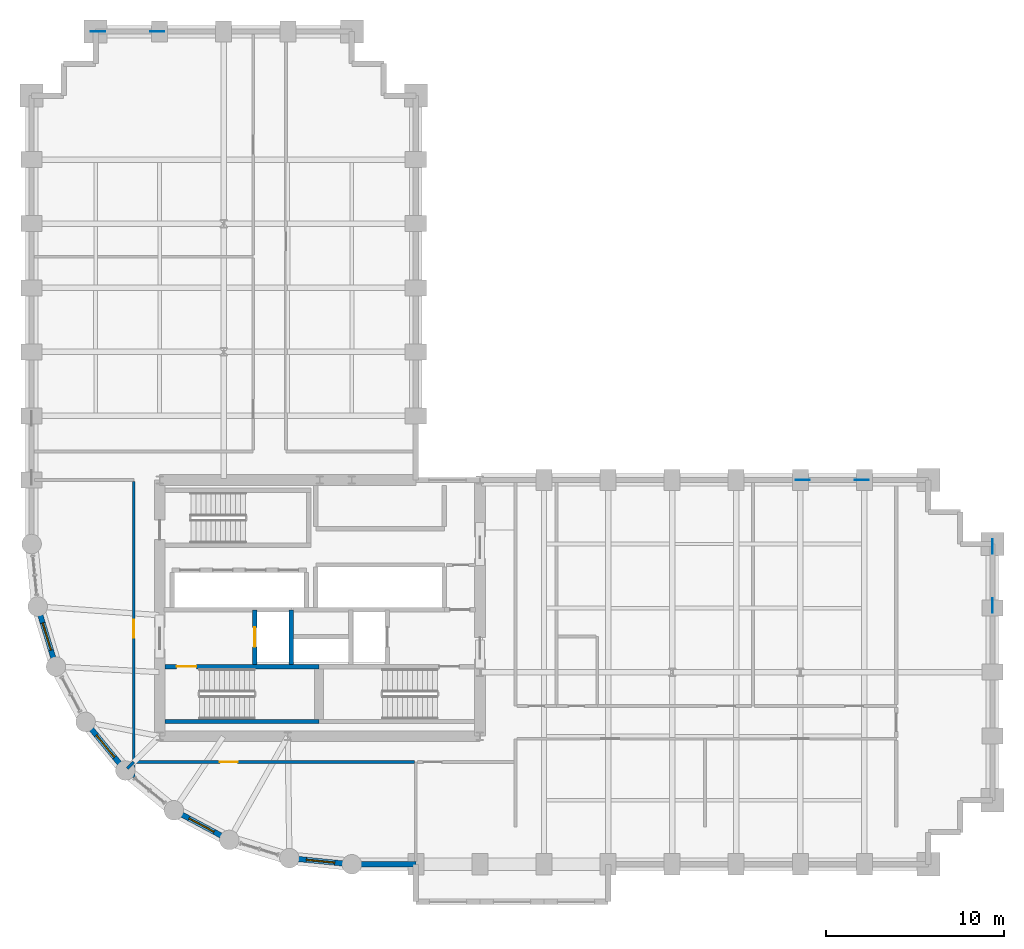
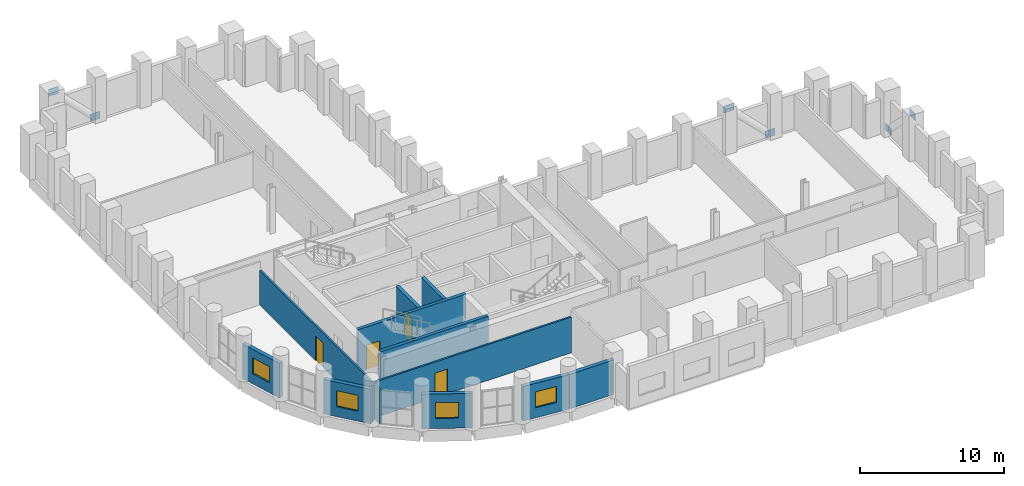
# One storey, part 8 of 12: 12 walls, 6 plates, 4 doors, 4 windows, 8 openings.
"""IFC4 building model written with IfcOpenShell, lengths in metres."""

from ifc_helpers import new_model, si_unit, direction, frame, frame_2d, origin, origin_2d, place, context, subcontext, project, spatial, rectangle, extrude, material, layer, layer_set, type_object, element, fill, save


model = new_model("IFC4")

# Units and contexts
model_context = context("Model", 3, precision=1e-05, world=origin(), true_north=direction((0.0, 1.0)))
body_context = subcontext(model_context, "Body", "Model", "MODEL_VIEW")
ifc_project = project(units=[si_unit("LENGTHUNIT", "METRE"), si_unit("AREAUNIT", "SQUARE_METRE"), si_unit("VOLUMEUNIT", "CUBIC_METRE"), si_unit("PLANEANGLEUNIT", "RADIAN"), si_unit("MASSUNIT", "GRAM", prefix="KILO")], contexts=[model_context])

# Site, building, storey
site_placement = place(None, origin())
site = spatial("IfcSite", under=ifc_project, at=site_placement, CompositionType="ELEMENT")
building_placement = place(site_placement, origin())
building = spatial("IfcBuilding", under=site, at=building_placement, Name="Solnavia Interchange Tower", CompositionType="ELEMENT")
storey_placement = place(building_placement, frame((0.0, 0.0, 27.89990234375)))
storey = spatial("IfcBuildingStorey", under=building, at=storey_placement, Name="L06", CompositionType="ELEMENT", Elevation=27.89990234375)

# Plates
ifc_material_1 = material(Name="Steel S460", Category="steel")
ifc_layer_1 = layer(ifc_material_1, 0.035888671875)
ifc_layer_set_1 = layer_set([ifc_layer_1], Name="Steel S460")
plate_type = type_object("IfcPlateType", Name="Plate-Gusset-800x600x36", PredefinedType="USERDEFINED", material=ifc_layer_set_1)
for number, where, z_axis, x_axis, name in (
    (1, (61.199951171875, 21.4599609375, -0.119873046875), (0.0, 0.0, 1.0), (0.0, -1.0, 0.0), "PLT-L06-GP03 Perimeter brace gusset plate"),
    (2, (61.199951171875, 18.139892578125, 3.170166015625), (0.0, 0.0, 1.0), (0.0, -1.0, 0.0), "PLT-L06-GP04 Perimeter brace gusset plate"),
    (3, (14.260009765625, 50.39990234375, -0.119873046875), (0.0, 0.0, 1.0), (-1.0, 0.0, 0.0), "PLT-L06-GP05 Perimeter brace gusset plate"),
    (4, (10.93994140625, 50.39990234375, 3.170166015625), (0.0, 0.0, 1.0), (-1.0, 0.0, 0.0), "PLT-L06-GP06 Perimeter brace gusset plate"),
    (5, (53.860107421875, 25.199951171875, -0.119873046875), (0.0, 0.0, 1.0), (-1.0, 0.0, 0.0), "PLT-L06-GP07 Perimeter brace gusset plate"),
    (6, (50.5400390625, 25.199951171875, 3.170166015625), (0.0, 0.0, 1.0), (-1.0, 0.0, 0.0), "PLT-L06-GP08 Perimeter brace gusset plate"),
):
    element("IfcPlate", number, at=place(storey_placement, frame(where, z_axis=z_axis, x_axis=x_axis)), inside=storey, type_object=plate_type, Name=name, ObjectType="GUSSET PLATE", PredefinedType="USERDEFINED", context=body_context, shape_type="SweptSolid", body=[
        extrude(rectangle(XDim=0.800048828125, YDim=0.035888671875, at=origin_2d()), origin(), (0.0, 0.0, 1.0), 0.60009765625),
    ])

# Wall
ifc_material_2 = material(Name="Concrete C40/50", Category="concrete")
ifc_layer_2 = layer(ifc_material_2, 0.300048828125)
ifc_layer_set_2 = layer_set([ifc_layer_2], Name="Concrete C40/50")
wall_type_1 = type_object("IfcWallType", Name="Wall-ExtSpandrel-300", PredefinedType="STANDARD", material=ifc_layer_set_2)
wall_1_placement = place(storey_placement, frame((28.800048828125, 3.60009765625, 0.0), z_axis=(0.0, 0.0, 1.0), x_axis=(-1.0, 0.0, 0.0)))
element("IfcWall", 7, at=wall_1_placement, inside=storey, type_object=wall_type_1, Name="EXW-L06-01 Exterior precast spandrel wall", PredefinedType="STANDARD", context=body_context, shape_type="SweptSolid", body=[
    extrude(rectangle(XDim=3.60009765625, YDim=0.300048828125, at=frame_2d((1.800048828125, 0.0))), origin(), (0.0, 0.0, 1.0), 2.93017578125),
])

# Wall, opening, window
wall_2_placement = place(storey_placement, frame((8.570068359375, 14.7119140625, 0.0), z_axis=(0.0, 0.0, 1.0), x_axis=(-0.290305086481, 0.956934144423, 0.0)))
wall_2 = element("IfcWall", 8, at=wall_2_placement, inside=storey, type_object=wall_type_1, Name="EXW-L06-58 Exterior precast spandrel wall", PredefinedType="STANDARD", context=body_context, shape_type="SweptSolid", body=[
    extrude(rectangle(XDim=3.52783203125, YDim=0.300048828125, at=frame_2d((1.763916015625, 0.0))), origin(), (0.0, 0.0, 1.0), 2.93017578125),
])
opening_1_placement = place(wall_2_placement, frame((0.964111328125, 0.0, 0.85009765625)))
opening_1 = element("IfcOpeningElement", 9, at=opening_1_placement, cuts=wall_2, Name="Opening WIN-04", PredefinedType="OPENING", context=body_context, shape_type="SweptSolid", body=[
    extrude(rectangle(XDim=1.60009765625, YDim=1.35009765625, at=frame_2d((0.800048828125, 0.675048828125))), frame((0.0, 0.16015625, 0.0), z_axis=(0.0, -1.0, 0.0), x_axis=(1.0, 0.0, 0.0)), (0.0, 0.0, 1.0), 0.320068359375),
])
ifc_material_3 = material(Name="Thermal-Break Aluminium & Low-E Glass", Category="aluminium")
window_type = type_object("IfcWindowType", Name="Window-Drum-1600x1350", PartitioningType="SINGLE_PANEL", PredefinedType="WINDOW", material=ifc_material_3)
window_1_placement = place(opening_1_placement, origin())
window_1 = element("IfcWindow", 10, at=window_1_placement, inside=storey, type_object=window_type, Name="WIN-L06-58 Facade ribbon window", OverallHeight=1.35009765625, OverallWidth=1.60009765625, PartitioningType="SINGLE_PANEL", PredefinedType="WINDOW", context=body_context, shape_type="SweptSolid", body=[
    extrude(rectangle(XDim=1.60009765625, YDim=1.35009765625, at=frame_2d((0.800048828125, 0.675048828125))), frame((0.0, 0.030029296875, 0.0), z_axis=(0.0, -1.0, 0.0), x_axis=(1.0, 0.0, 0.0)), (0.0, 0.0, 1.0), 0.06005859375),
])
fill(opening_1, window_1)

wall_3_placement = place(storey_placement, frame((12.471923828125, 8.8720703125, 0.0), z_axis=(0.0, 0.0, 1.0), x_axis=(-0.634258295121, 0.773121216285, 0.0)))
wall_3 = element("IfcWall", 11, at=wall_3_placement, inside=storey, type_object=wall_type_1, Name="EXW-L06-60 Exterior precast spandrel wall", PredefinedType="STANDARD", context=body_context, shape_type="SweptSolid", body=[
    extrude(rectangle(XDim=3.528564453125, YDim=0.300048828125, at=frame_2d((1.76416015625, 0.0))), origin(), (0.0, 0.0, 1.0), 2.93017578125),
])
opening_2_placement = place(wall_3_placement, frame((0.964111328125, 0.0, 0.85009765625)))
opening_2 = element("IfcOpeningElement", 12, at=opening_2_placement, cuts=wall_3, Name="Opening WIN-04", PredefinedType="OPENING", context=body_context, shape_type="SweptSolid", body=[
    extrude(rectangle(XDim=1.60009765625, YDim=1.35009765625, at=frame_2d((0.800048828125, 0.675048828125))), frame((0.0, 0.16015625, 0.0), z_axis=(0.0, -1.0, 0.0), x_axis=(1.0, 0.0, 0.0)), (0.0, 0.0, 1.0), 0.320068359375),
])
window_2_placement = place(opening_2_placement, origin())
window_2 = element("IfcWindow", 13, at=window_2_placement, inside=storey, type_object=window_type, Name="WIN-L06-60 Facade ribbon window", OverallHeight=1.35009765625, OverallWidth=1.60009765625, PartitioningType="SINGLE_PANEL", PredefinedType="WINDOW", context=body_context, shape_type="SweptSolid", body=[
    extrude(rectangle(XDim=1.60009765625, YDim=1.35009765625, at=frame_2d((0.800048828125, 0.675048828125))), frame((0.0, 0.030029296875, 0.0), z_axis=(0.0, -1.0, 0.0), x_axis=(1.0, 0.0, 0.0)), (0.0, 0.0, 1.0), 0.06005859375),
])
fill(opening_2, window_2)

wall_4_placement = place(storey_placement, frame((18.31201171875, 4.969970703125, 0.0), z_axis=(0.0, 0.0, 1.0), x_axis=(-0.881846862014, 0.471535907389, 0.0)))
wall_4 = element("IfcWall", 14, at=wall_4_placement, inside=storey, type_object=wall_type_1, Name="EXW-L06-62 Exterior precast spandrel wall", PredefinedType="STANDARD", context=body_context, shape_type="SweptSolid", body=[
    extrude(rectangle(XDim=3.529052734375, YDim=0.300048828125, at=frame_2d((1.7646484375, 0.0))), origin(), (0.0, 0.0, 1.0), 2.93017578125),
])
opening_3_placement = place(wall_4_placement, frame((0.964111328125, 0.0, 0.85009765625)))
opening_3 = element("IfcOpeningElement", 15, at=opening_3_placement, cuts=wall_4, Name="Opening WIN-04", PredefinedType="OPENING", context=body_context, shape_type="SweptSolid", body=[
    extrude(rectangle(XDim=1.60009765625, YDim=1.35009765625, at=frame_2d((0.800048828125, 0.675048828125))), frame((0.0, 0.16015625, 0.0), z_axis=(0.0, -1.0, 0.0), x_axis=(1.0, 0.0, 0.0)), (0.0, 0.0, 1.0), 0.320068359375),
])
window_3_placement = place(opening_3_placement, origin())
window_3 = element("IfcWindow", 16, at=window_3_placement, inside=storey, type_object=window_type, Name="WIN-L06-62 Facade ribbon window", OverallHeight=1.35009765625, OverallWidth=1.60009765625, PartitioningType="SINGLE_PANEL", PredefinedType="WINDOW", context=body_context, shape_type="SweptSolid", body=[
    extrude(rectangle(XDim=1.60009765625, YDim=1.35009765625, at=frame_2d((0.800048828125, 0.675048828125))), frame((0.0, 0.030029296875, 0.0), z_axis=(0.0, -1.0, 0.0), x_axis=(1.0, 0.0, 0.0)), (0.0, 0.0, 1.0), 0.06005859375),
])
fill(opening_3, window_3)

wall_5_placement = place(storey_placement, frame((25.199951171875, 3.60009765625, 0.0), z_axis=(0.0, 0.0, 1.0), x_axis=(-0.995183369056, 0.098030923459, 0.0)))
wall_5 = element("IfcWall", 17, at=wall_5_placement, inside=storey, type_object=wall_type_1, Name="EXW-L06-64 Exterior precast spandrel wall", PredefinedType="STANDARD", context=body_context, shape_type="SweptSolid", body=[
    extrude(rectangle(XDim=3.529052734375, YDim=0.300048828125, at=frame_2d((1.7646484375, 0.0))), origin(), (0.0, 0.0, 1.0), 2.93017578125),
])
opening_4_placement = place(wall_5_placement, frame((0.965087890625, 0.0, 0.85009765625)))
opening_4 = element("IfcOpeningElement", 18, at=opening_4_placement, cuts=wall_5, Name="Opening WIN-04", PredefinedType="OPENING", context=body_context, shape_type="SweptSolid", body=[
    extrude(rectangle(XDim=1.60009765625, YDim=1.35009765625, at=frame_2d((0.800048828125, 0.675048828125))), frame((0.0, 0.16015625, 0.0), z_axis=(0.0, -1.0, 0.0), x_axis=(1.0, 0.0, 0.0)), (0.0, 0.0, 1.0), 0.320068359375),
])
window_4_placement = place(opening_4_placement, origin())
window_4 = element("IfcWindow", 19, at=window_4_placement, inside=storey, type_object=window_type, Name="WIN-L06-64 Facade ribbon window", OverallHeight=1.35009765625, OverallWidth=1.60009765625, PartitioningType="SINGLE_PANEL", PredefinedType="WINDOW", context=body_context, shape_type="SweptSolid", body=[
    extrude(rectangle(XDim=1.60009765625, YDim=1.35009765625, at=frame_2d((0.800048828125, 0.675048828125))), frame((0.0, 0.030029296875, 0.0), z_axis=(0.0, -1.0, 0.0), x_axis=(1.0, 0.0, 0.0)), (0.0, 0.0, 1.0), 0.06005859375),
])
fill(opening_4, window_4)

# Wall
ifc_material_4 = material(Name="Gypsum Plasterboard & Steel Stud", Category="steel")
ifc_layer_3 = layer(ifc_material_4, 0.14990234375)
ifc_layer_set_3 = layer_set([ifc_layer_3], Name="Gypsum Plasterboard & Steel Stud")
wall_type_2 = type_object("IfcWallType", Name="Wall-Partition-150", PredefinedType="PARTITIONING", material=ifc_layer_set_3)
wall_6_placement = place(storey_placement, frame((12.949951171875, 9.35009765625, 0.0), z_axis=(0.0, 0.0, 1.0), x_axis=(-0.707106781187, -0.707106781187, 0.0)))
element("IfcWall", 20, at=wall_6_placement, inside=storey, type_object=wall_type_2, Name="PTW-L06-09 Interior partition wall", PredefinedType="PARTITIONING", context=body_context, shape_type="SweptSolid", body=[
    extrude(rectangle(XDim=0.52197265625, YDim=0.14990234375, at=frame_2d((0.260986328125, 0.0))), origin(), (0.0, 0.0, 1.0), 3.080078125),
])

# Wall, opening, door
wall_7_placement = place(storey_placement, frame((12.949951171875, 8.47998046875, 0.0), z_axis=(0.0, 0.0, 1.0), x_axis=(0.0, 1.0, 0.0)))
wall_7 = element("IfcWall", 21, at=wall_7_placement, inside=storey, type_object=wall_type_2, Name="PTW-L06-10 Interior partition wall", PredefinedType="PARTITIONING", context=body_context, shape_type="SweptSolid", body=[
    extrude(rectangle(XDim=16.64111328125, YDim=0.14990234375, at=frame_2d((8.320556640625, 0.0))), origin(), (0.0, 0.0, 1.0), 2.93017578125),
])
opening_5_placement = place(wall_7_placement, frame((7.860107421875, 0.0, 0.0)))
opening_5 = element("IfcOpeningElement", 22, at=opening_5_placement, cuts=wall_7, Name="Opening DR-07", PredefinedType="OPENING", context=body_context, shape_type="SweptSolid", body=[
    extrude(rectangle(XDim=1.0, YDim=2.10009765625, at=frame_2d((0.5, 1.050048828125))), frame((0.0, 0.0849609375, 0.0), z_axis=(0.0, -1.0, 0.0), x_axis=(1.0, 0.0, 0.0)), (0.0, 0.0, 1.0), 0.169921875),
])
ifc_material_5 = material(Name="Timber & Acoustic Glazed Office Door", Category="wood")
door_type_1 = type_object("IfcDoorType", Name="Door-Office-1000x2100", OperationType="SINGLE_SWING_RIGHT", PredefinedType="DOOR", material=ifc_material_5)
door_1_placement = place(opening_5_placement, origin())
door_1 = element("IfcDoor", 23, at=door_1_placement, inside=storey, type_object=door_type_1, Name="DR-L06-03 Interior room door", OperationType="SINGLE_SWING_LEFT", OverallHeight=2.10009765625, OverallWidth=1.0, PredefinedType="DOOR", context=body_context, shape_type="SweptSolid", body=[
    extrude(rectangle(XDim=1.0, YDim=2.10009765625, at=frame_2d((0.5, 1.050048828125))), frame((0.0, 0.02490234375, 0.0), z_axis=(0.0, -1.0, 0.0), x_axis=(1.0, 0.0, 0.0)), (0.0, 0.0, 1.0), 0.050048828125),
])
fill(opening_5, door_1)

wall_8_placement = place(storey_placement, frame((13.080078125, 9.35009765625, 0.0), z_axis=(0.0, 0.0, 1.0), x_axis=(1.0, 0.0, 0.0)))
wall_8 = element("IfcWall", 24, at=wall_8_placement, inside=storey, type_object=wall_type_2, Name="PTW-L06-11 Interior partition wall", PredefinedType="PARTITIONING", context=body_context, shape_type="SweptSolid", body=[
    extrude(rectangle(XDim=15.640869140625, YDim=0.14990234375, at=frame_2d((7.8203125, 0.0))), origin(), (0.0, 0.0, 1.0), 3.0400390625),
])
opening_6_placement = place(wall_8_placement, frame((4.7060546875, 0.0, 0.0)))
opening_6 = element("IfcOpeningElement", 25, at=opening_6_placement, cuts=wall_8, Name="Opening DR-07", PredefinedType="OPENING", context=body_context, shape_type="SweptSolid", body=[
    extrude(rectangle(XDim=1.0, YDim=2.10009765625, at=frame_2d((0.5, 1.050048828125))), frame((0.0, 0.0849609375, 0.0), z_axis=(0.0, -1.0, 0.0), x_axis=(1.0, 0.0, 0.0)), (0.0, 0.0, 1.0), 0.169921875),
])
door_2_placement = place(opening_6_placement, origin())
door_2 = element("IfcDoor", 26, at=door_2_placement, inside=storey, type_object=door_type_1, Name="DR-L06-04 Interior room door", OperationType="SINGLE_SWING_RIGHT", OverallHeight=2.10009765625, OverallWidth=1.0, PredefinedType="DOOR", context=body_context, shape_type="SweptSolid", body=[
    extrude(rectangle(XDim=1.0, YDim=2.10009765625, at=frame_2d((0.5, 1.050048828125))), frame((0.0, 0.02490234375, 0.0), z_axis=(0.0, -1.0, 0.0), x_axis=(1.0, 0.0, 0.0)), (0.0, 0.0, 1.0), 0.050048828125),
])
fill(opening_6, door_2)

# Wall
ifc_layer_4 = layer(ifc_material_2, 0.25)
ifc_layer_set_4 = layer_set([ifc_layer_4], Name="Concrete C40/50")
wall_type_3 = type_object("IfcWallType", Name="Wall-ShaftCore-250", PredefinedType="SHEAR", material=ifc_layer_set_4)
wall_9_placement = place(storey_placement, frame((14.699951171875, 11.625, 0.0), z_axis=(0.0, 0.0, 1.0), x_axis=(1.0, 0.0, 0.0)))
element("IfcWall", 27, at=wall_9_placement, inside=storey, type_object=wall_type_3, Name="SHW-L06-ST1S Core shear wall", PredefinedType="SHEAR", context=body_context, shape_type="SweptSolid", body=[
    extrude(rectangle(XDim=8.650146484375, YDim=0.25, at=frame_2d((4.3251953125, 0.0))), origin(), (0.0, 0.0, 1.0), 3.650146484375),
])

# Wall, opening, door
wall_10_placement = place(storey_placement, frame((14.699951171875, 14.715087890625, 0.0), z_axis=(0.0, 0.0, 1.0), x_axis=(1.0, 0.0, 0.0)))
wall_10 = element("IfcWall", 28, at=wall_10_placement, inside=storey, type_object=wall_type_3, Name="SHW-L06-ST1N Core shear wall", PredefinedType="SHEAR", context=body_context, shape_type="SweptSolid", body=[
    extrude(rectangle(XDim=8.650146484375, YDim=0.25, at=frame_2d((4.3251953125, 0.0))), origin(), (0.0, 0.0, 1.0), 3.650146484375),
])
opening_7_placement = place(wall_10_placement, frame((0.655029296875, 0.0, 0.0)))
opening_7 = element("IfcOpeningElement", 29, at=opening_7_placement, cuts=wall_10, Name="Opening DR-01", PredefinedType="OPENING", context=body_context, shape_type="SweptSolid", body=[
    extrude(rectangle(XDim=1.10009765625, YDim=2.10009765625, at=frame_2d((0.550048828125, 1.050048828125))), frame((0.0, 0.135009765625, 0.0), z_axis=(0.0, -1.0, 0.0), x_axis=(1.0, 0.0, 0.0)), (0.0, 0.0, 1.0), 0.27001953125),
])
ifc_material_6 = material(Name="Steel Fire-Rated Leaf & Frame", Category="steel")
door_type_2 = type_object("IfcDoorType", Name="Door-StairFire-1100x2100", OperationType="SINGLE_SWING_LEFT", PredefinedType="DOOR", material=ifc_material_6)
door_3_placement = place(opening_7_placement, origin())
door_3 = element("IfcDoor", 30, at=door_3_placement, inside=storey, type_object=door_type_2, Name="DR-L06-ST1 Core fire door", OperationType="SINGLE_SWING_LEFT", OverallHeight=2.10009765625, OverallWidth=1.10009765625, PredefinedType="DOOR", context=body_context, shape_type="SweptSolid", body=[
    extrude(rectangle(XDim=1.10009765625, YDim=2.10009765625, at=frame_2d((0.550048828125, 1.050048828125))), frame((0.0, 0.02490234375, 0.0), z_axis=(0.0, -1.0, 0.0), x_axis=(1.0, 0.0, 0.0)), (0.0, 0.0, 1.0), 0.050048828125),
])
fill(opening_7, door_3)

ifc_layer_5 = layer(ifc_material_2, 0.25)
ifc_layer_set_5 = layer_set([ifc_layer_5], Name="Concrete C40/50")
wall_type_4 = type_object("IfcWallType", Name="Wall-ShaftPart-250", PredefinedType="PARTITIONING", material=ifc_layer_set_5)
wall_11_placement = place(storey_placement, frame((19.75, 14.840087890625, 0.0), z_axis=(0.0, 0.0, 1.0), x_axis=(0.0, 1.0, 0.0)))
wall_11 = element("IfcWall", 31, at=wall_11_placement, inside=storey, type_object=wall_type_4, Name="SHW-L06-FFL1-W Core shaft wall", PredefinedType="PARTITIONING", context=body_context, shape_type="SweptSolid", body=[
    extrude(rectangle(XDim=3.059814453125, YDim=0.25, at=frame_2d((1.52978515625, 0.0))), origin(), (0.0, 0.0, 1.0), 3.635009765625),
])
opening_8_placement = place(wall_11_placement, frame((0.97998046875, 0.0, 0.0)))
opening_8 = element("IfcOpeningElement", 32, at=opening_8_placement, cuts=wall_11, Name="Opening LD-01", PredefinedType="OPENING", context=body_context, shape_type="SweptSolid", body=[
    extrude(rectangle(XDim=1.10009765625, YDim=2.10009765625, at=frame_2d((0.550048828125, 1.050048828125))), frame((0.0, 0.135009765625, 0.0), z_axis=(0.0, -1.0, 0.0), x_axis=(1.0, 0.0, 0.0)), (0.0, 0.0, 1.0), 0.27001953125),
])
ifc_material_7 = material(Name="Brushed Stainless Steel Sliding Door", Category="steel")
door_type_3 = type_object("IfcDoorType", Name="Door-LiftLanding-1100x2100", OperationType="SLIDING_TO_LEFT", PredefinedType="DOOR", material=ifc_material_7)
door_4_placement = place(opening_8_placement, origin())
door_4 = element("IfcDoor", 33, at=door_4_placement, inside=storey, type_object=door_type_3, Name="LD-L06-FFL1 Lift landing sliding door", OperationType="SLIDING_TO_LEFT", OverallHeight=2.10009765625, OverallWidth=1.10009765625, PredefinedType="DOOR", context=body_context, shape_type="SweptSolid", body=[
    extrude(rectangle(XDim=1.10009765625, YDim=2.10009765625, at=frame_2d((0.550048828125, 1.050048828125))), frame((0.0, 0.02490234375, 0.0), z_axis=(0.0, -1.0, 0.0), x_axis=(1.0, 0.0, 0.0)), (0.0, 0.0, 1.0), 0.050048828125),
])
fill(opening_8, door_4)

# Wall
wall_12_placement = place(storey_placement, frame((21.800048828125, 14.840087890625, 0.0), z_axis=(0.0, 0.0, 1.0), x_axis=(0.0, 1.0, 0.0)))
element("IfcWall", 34, at=wall_12_placement, inside=storey, type_object=wall_type_4, Name="SHW-L06-FFL1-E Core shaft wall", PredefinedType="PARTITIONING", context=body_context, shape_type="SweptSolid", body=[
    extrude(rectangle(XDim=3.059814453125, YDim=0.25, at=frame_2d((1.52978515625, 0.0))), origin(), (0.0, 0.0, 1.0), 3.635009765625),
])

save(model, "model.ifc")
